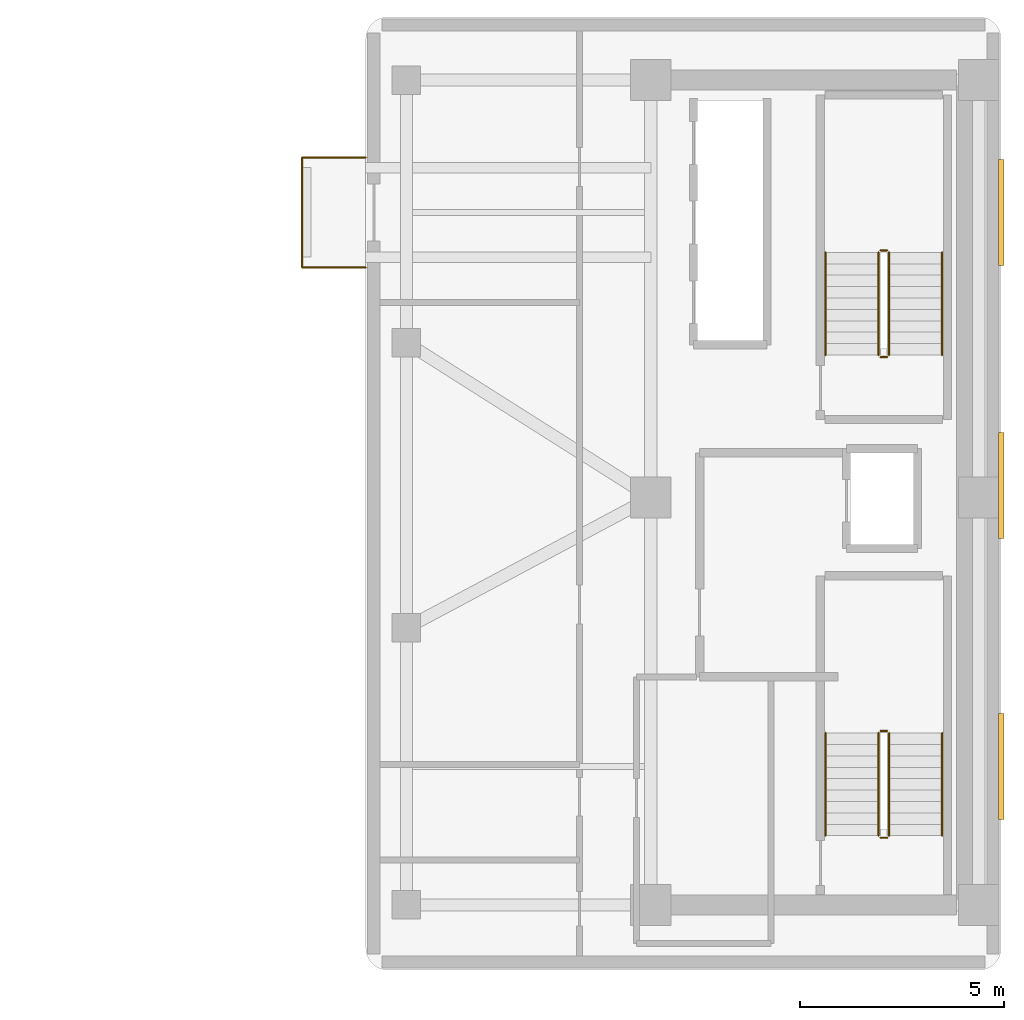
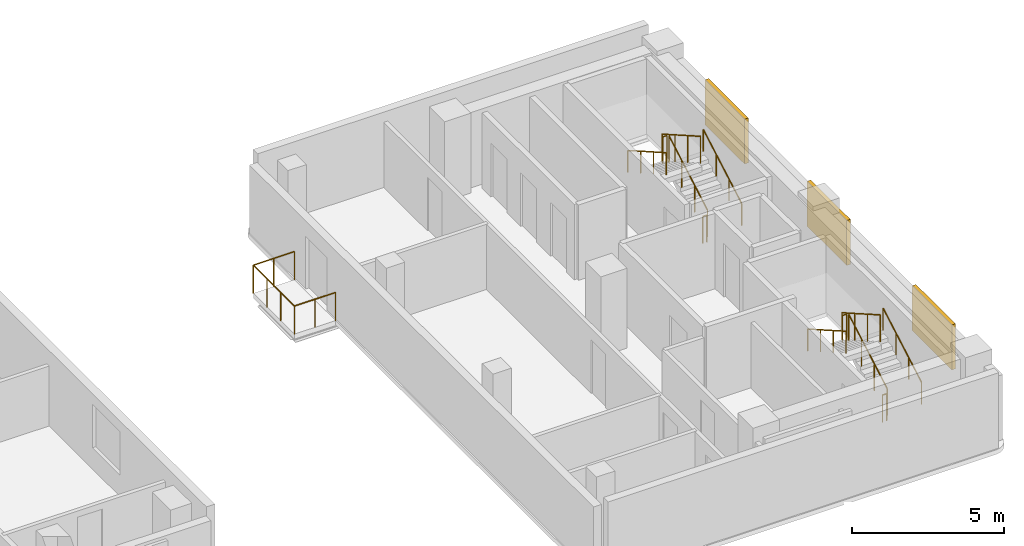
# One storey, part 9 of 9: 15 railings, 3 shading devices.
"""IFC4 building model written with IfcOpenShell, lengths in metres."""

from ifc_helpers import new_model, si_unit, direction, frame, origin, origin_2d, place, context, subcontext, project, spatial, rectangle, circle, extrude, material, layer, layer_set, type_object, element, save


model = new_model("IFC4")

# Units and contexts
model_context = context("Model", 3, precision=1e-05, world=origin(), true_north=direction((0.0, 1.0)))
body_context = subcontext(model_context, "Body", "Model", "MODEL_VIEW")
ifc_project = project(units=[si_unit("LENGTHUNIT", "METRE"), si_unit("AREAUNIT", "SQUARE_METRE"), si_unit("VOLUMEUNIT", "CUBIC_METRE"), si_unit("PLANEANGLEUNIT", "RADIAN"), si_unit("MASSUNIT", "GRAM", prefix="KILO")], contexts=[model_context])

# Site, building, storey
site_placement = place(None, origin())
site = spatial("IfcSite", under=ifc_project, at=site_placement, CompositionType="ELEMENT")
building_placement = place(site_placement, origin())
building = spatial("IfcBuilding", under=site, at=building_placement, Name="Kuzgunbayir Cultural Tower", CompositionType="ELEMENT")
storey_placement = place(building_placement, frame((0.0, 0.0, 89.800048828125)))
storey = spatial("IfcBuildingStorey", under=building, at=storey_placement, Name="L25", CompositionType="ELEMENT", Elevation=89.800048828125)

# Railings
ifc_material_1 = material(Name="Laminated Glass and Stainless Steel", Category="steel")
ifc_layer_1 = layer(ifc_material_1, 0.080078125)
ifc_layer_set_1 = layer_set([ifc_layer_1], Name="Laminated Glass and Stainless Steel")
railing_type_1 = type_object("IfcRailingType", Name="RLG-BAL-115", PredefinedType="BALUSTRADE", material=ifc_layer_set_1)
railing_1_placement = place(storey_placement, frame((57.60009765625, 37.64990234375, 0.0)))
element("IfcRailing", 1, at=railing_1_placement, inside=storey, type_object=railing_type_1, Name="L25 Companion Balcony Guard BAL-L25-T2W3 Segment 1", PredefinedType="BALUSTRADE", context=body_context, shape_type="SweptSolid", body=[
    extrude(circle(Radius=0.02392578125, at=origin_2d()), frame((0.0, 0.0, 1.1259765625), z_axis=(-1.0, 0.0, 0.0), x_axis=(0.0, -1.0, 0.0)), (0.0, 0.0, 1.0), 1.56005859375),
    extrude(circle(Radius=0.02099609375, at=origin_2d()), origin(), (0.0, 0.0, 1.0), 1.101806640625),
    extrude(circle(Radius=0.02099609375, at=origin_2d()), frame((-0.780029296875, 0.0, 0.0)), (0.0, 0.0, 1.0), 1.101806640625),
    extrude(circle(Radius=0.02099609375, at=origin_2d()), frame((-1.56005859375, 0.0, 0.0)), (0.0, 0.0, 1.0), 1.101806640625),
])
railing_2_placement = place(storey_placement, frame((56.0400390625, 37.64990234375, 0.0)))
element("IfcRailing", 2, at=railing_2_placement, inside=storey, type_object=railing_type_1, Name="L25 Companion Balcony Guard BAL-L25-T2W3 Segment 2", PredefinedType="BALUSTRADE", context=body_context, shape_type="SweptSolid", body=[
    extrude(circle(Radius=0.02392578125, at=origin_2d()), frame((0.0, 0.0, 1.1259765625), z_axis=(0.0, 1.0, 0.0), x_axis=(-1.0, 0.0, 0.0)), (0.0, 0.0, 1.0), 2.7001953125),
    extrude(circle(Radius=0.02099609375, at=origin_2d()), origin(), (0.0, 0.0, 1.0), 1.101806640625),
    extrude(circle(Radius=0.02099609375, at=origin_2d()), frame((0.0, 0.900146484375, 0.0)), (0.0, 0.0, 1.0), 1.101806640625),
    extrude(circle(Radius=0.02099609375, at=origin_2d()), frame((0.0, 1.800048828125, 0.0)), (0.0, 0.0, 1.0), 1.101806640625),
    extrude(circle(Radius=0.02099609375, at=origin_2d()), frame((0.0, 2.7001953125, 0.0)), (0.0, 0.0, 1.0), 1.101806640625),
])
railing_3_placement = place(storey_placement, frame((56.0400390625, 40.35009765625, 0.0)))
element("IfcRailing", 3, at=railing_3_placement, inside=storey, type_object=railing_type_1, Name="L25 Companion Balcony Guard BAL-L25-T2W3 Segment 3", PredefinedType="BALUSTRADE", context=body_context, shape_type="SweptSolid", body=[
    extrude(circle(Radius=0.02392578125, at=origin_2d()), frame((0.0, 0.0, 1.1259765625), z_axis=(1.0, 0.0, 0.0), x_axis=(0.0, 1.0, 0.0)), (0.0, 0.0, 1.0), 1.56005859375),
    extrude(circle(Radius=0.02099609375, at=origin_2d()), origin(), (0.0, 0.0, 1.0), 1.101806640625),
    extrude(circle(Radius=0.02099609375, at=origin_2d()), frame((0.780029296875, 0.0, 0.0)), (0.0, 0.0, 1.0), 1.101806640625),
    extrude(circle(Radius=0.02099609375, at=origin_2d()), frame((1.56005859375, 0.0, 0.0)), (0.0, 0.0, 1.0), 1.101806640625),
])
ifc_material_2 = material(Name="Brushed Stainless Steel", Category="steel")
ifc_layer_2 = layer(ifc_material_2, 0.050048828125)
ifc_layer_set_2 = layer_set([ifc_layer_2], Name="Brushed Stainless Steel")
railing_type_2 = type_object("IfcRailingType", Name="RLG-STAIR-HANDRAIL", PredefinedType="HANDRAIL", material=ifc_layer_set_2)
railing_4_placement = place(storey_placement, frame((71.75, 23.699951171875, 0.159912109375)))
element("IfcRailing", 4, at=railing_4_placement, inside=storey, type_object=railing_type_2, Name="L25 ST-3 stair handrail 1", PredefinedType="HANDRAIL", context=body_context, shape_type="SweptSolid", body=[
    extrude(circle(Radius=0.02392578125, at=origin_2d()), frame((0.0, 0.0, 0.8759765625), z_axis=(0.0, 0.868253494771, 0.496120820787), x_axis=(-1.0, 0.0, 0.0)), (0.0, 0.0, 1.0), 2.90234375),
    extrude(circle(Radius=0.02099609375, at=origin_2d()), origin(), (0.0, 0.0, 1.0), 0.851806640625),
    extrude(circle(Radius=0.02099609375, at=origin_2d()), frame((0.0, 0.840087890625, 0.47998046875)), (0.0, 0.0, 1.0), 0.851806640625),
    extrude(circle(Radius=0.02099609375, at=origin_2d()), frame((0.0, 1.679931640625, 0.9599609375)), (0.0, 0.0, 1.0), 0.851806640625),
    extrude(circle(Radius=0.02099609375, at=origin_2d()), frame((0.0, 2.52001953125, 1.43994140625)), (0.0, 0.0, 1.0), 0.851806640625),
])
railing_5_placement = place(storey_placement, frame((68.889892578125, 26.219970703125, 1.760009765625)))
element("IfcRailing", 5, at=railing_5_placement, inside=storey, type_object=railing_type_2, Name="L25 ST-3 stair handrail 2", PredefinedType="HANDRAIL", context=body_context, shape_type="SweptSolid", body=[
    extrude(circle(Radius=0.02392578125, at=origin_2d()), frame((0.0, 0.0, 0.8759765625), z_axis=(0.0, -0.868253494771, 0.496120820787), x_axis=(1.0, 0.0, 0.0)), (0.0, 0.0, 1.0), 2.90234375),
    extrude(circle(Radius=0.02099609375, at=origin_2d()), origin(), (0.0, 0.0, 1.0), 0.851806640625),
    extrude(circle(Radius=0.02099609375, at=origin_2d()), frame((0.0, -0.840087890625, 0.47998046875)), (0.0, 0.0, 1.0), 0.851806640625),
    extrude(circle(Radius=0.02099609375, at=origin_2d()), frame((0.0, -1.679931640625, 0.9599609375)), (0.0, 0.0, 1.0), 0.851806640625),
    extrude(circle(Radius=0.02099609375, at=origin_2d()), frame((0.0, -2.52001953125, 1.43994140625)), (0.0, 0.0, 1.0), 0.851806640625),
])
railing_6_placement = place(storey_placement, frame((71.75, 35.5, 0.159912109375)))
element("IfcRailing", 6, at=railing_6_placement, inside=storey, type_object=railing_type_2, Name="L25 ST-4 stair handrail 1", PredefinedType="HANDRAIL", context=body_context, shape_type="SweptSolid", body=[
    extrude(circle(Radius=0.02392578125, at=origin_2d()), frame((0.0, 0.0, 0.8759765625), z_axis=(0.0, 0.868253494771, 0.496120820787), x_axis=(-1.0, 0.0, 0.0)), (0.0, 0.0, 1.0), 2.90234375),
    extrude(circle(Radius=0.02099609375, at=origin_2d()), origin(), (0.0, 0.0, 1.0), 0.851806640625),
    extrude(circle(Radius=0.02099609375, at=origin_2d()), frame((0.0, 0.840087890625, 0.47998046875)), (0.0, 0.0, 1.0), 0.851806640625),
    extrude(circle(Radius=0.02099609375, at=origin_2d()), frame((0.0, 1.679931640625, 0.9599609375)), (0.0, 0.0, 1.0), 0.851806640625),
    extrude(circle(Radius=0.02099609375, at=origin_2d()), frame((0.0, 2.52001953125, 1.43994140625)), (0.0, 0.0, 1.0), 0.851806640625),
])
railing_7_placement = place(storey_placement, frame((68.889892578125, 38.02001953125, 1.760009765625)))
element("IfcRailing", 7, at=railing_7_placement, inside=storey, type_object=railing_type_2, Name="L25 ST-4 stair handrail 2", PredefinedType="HANDRAIL", context=body_context, shape_type="SweptSolid", body=[
    extrude(circle(Radius=0.02392578125, at=origin_2d()), frame((0.0, 0.0, 0.8759765625), z_axis=(0.0, -0.868253494771, 0.496120820787), x_axis=(1.0, 0.0, 0.0)), (0.0, 0.0, 1.0), 2.90234375),
    extrude(circle(Radius=0.02099609375, at=origin_2d()), origin(), (0.0, 0.0, 1.0), 0.851806640625),
    extrude(circle(Radius=0.02099609375, at=origin_2d()), frame((0.0, -0.840087890625, 0.47998046875)), (0.0, 0.0, 1.0), 0.851806640625),
    extrude(circle(Radius=0.02099609375, at=origin_2d()), frame((0.0, -1.679931640625, 0.9599609375)), (0.0, 0.0, 1.0), 0.851806640625),
    extrude(circle(Radius=0.02099609375, at=origin_2d()), frame((0.0, -2.52001953125, 1.43994140625)), (0.0, 0.0, 1.0), 0.851806640625),
])
ifc_material_3 = material(Name="Painted Steel Balustrade", Category="steel")
ifc_layer_3 = layer(ifc_material_3, 0.06005859375)
ifc_layer_set_3 = layer_set([ifc_layer_3], Name="Painted Steel Balustrade")
railing_type_3 = type_object("IfcRailingType", Name="RLG-WELL-GUARD", PredefinedType="GUARDRAIL", material=ifc_layer_set_3)
railing_8_placement = place(storey_placement, frame((70.449951171875, 23.699951171875, 0.159912109375)))
element("IfcRailing", 8, at=railing_8_placement, inside=storey, type_object=railing_type_3, Name="L25 ST-3 stair guard 1", PredefinedType="GUARDRAIL", context=body_context, shape_type="SweptSolid", body=[
    extrude(circle(Radius=0.02392578125, at=origin_2d()), frame((0.0, 0.0, 1.076171875), z_axis=(0.0, 0.868253494771, 0.496120820787), x_axis=(-1.0, 0.0, 0.0)), (0.0, 0.0, 1.0), 2.90234375),
    extrude(circle(Radius=0.02099609375, at=origin_2d()), origin(), (0.0, 0.0, 1.0), 1.052001953125),
    extrude(circle(Radius=0.02099609375, at=origin_2d()), frame((0.0, 0.840087890625, 0.47998046875)), (0.0, 0.0, 1.0), 1.052001953125),
    extrude(circle(Radius=0.02099609375, at=origin_2d()), frame((0.0, 1.679931640625, 0.9599609375)), (0.0, 0.0, 1.0), 1.052001953125),
    extrude(circle(Radius=0.02099609375, at=origin_2d()), frame((0.0, 2.52001953125, 1.43994140625)), (0.0, 0.0, 1.0), 1.052001953125),
])
railing_9_placement = place(storey_placement, frame((70.39990234375, 26.27001953125, 1.599853515625)))
element("IfcRailing", 9, at=railing_9_placement, inside=storey, type_object=railing_type_3, Name="L25 ST-3 stair guard 2", PredefinedType="GUARDRAIL", context=body_context, shape_type="SweptSolid", body=[
    extrude(circle(Radius=0.02392578125, at=origin_2d()), frame((0.0, 0.0, 1.076171875), z_axis=(-1.0, 0.0, 0.0), x_axis=(0.0, -1.0, 0.0)), (0.0, 0.0, 1.0), 0.159912109375),
    extrude(circle(Radius=0.02099609375, at=origin_2d()), origin(), (0.0, 0.0, 1.0), 1.052001953125),
    extrude(circle(Radius=0.02099609375, at=origin_2d()), frame((-0.159912109375, 0.0, 0.0)), (0.0, 0.0, 1.0), 1.052001953125),
])
railing_10_placement = place(storey_placement, frame((70.18994140625, 26.219970703125, 1.760009765625)))
element("IfcRailing", 10, at=railing_10_placement, inside=storey, type_object=railing_type_3, Name="L25 ST-3 stair guard 3", PredefinedType="GUARDRAIL", context=body_context, shape_type="SweptSolid", body=[
    extrude(circle(Radius=0.02392578125, at=origin_2d()), frame((0.0, 0.0, 1.076171875), z_axis=(0.0, -0.868253494771, 0.496120820787), x_axis=(1.0, 0.0, 0.0)), (0.0, 0.0, 1.0), 2.90234375),
    extrude(circle(Radius=0.02099609375, at=origin_2d()), origin(), (0.0, 0.0, 1.0), 1.052001953125),
    extrude(circle(Radius=0.02099609375, at=origin_2d()), frame((0.0, -0.840087890625, 0.47998046875)), (0.0, 0.0, 1.0), 1.052001953125),
    extrude(circle(Radius=0.02099609375, at=origin_2d()), frame((0.0, -1.679931640625, 0.9599609375)), (0.0, 0.0, 1.0), 1.052001953125),
    extrude(circle(Radius=0.02099609375, at=origin_2d()), frame((0.0, -2.52001953125, 1.43994140625)), (0.0, 0.0, 1.0), 1.052001953125),
])
railing_11_placement = place(storey_placement, frame((70.39990234375, 23.64990234375, 0.0)))
element("IfcRailing", 11, at=railing_11_placement, inside=storey, type_object=railing_type_3, Name="L25 ST-3 stair guard 4", PredefinedType="GUARDRAIL", context=body_context, shape_type="SweptSolid", body=[
    extrude(circle(Radius=0.02392578125, at=origin_2d()), frame((0.0, 0.0, 1.076171875), z_axis=(-1.0, 0.0, 0.0), x_axis=(0.0, -1.0, 0.0)), (0.0, 0.0, 1.0), 0.159912109375),
    extrude(circle(Radius=0.02099609375, at=origin_2d()), origin(), (0.0, 0.0, 1.0), 1.052001953125),
    extrude(circle(Radius=0.02099609375, at=origin_2d()), frame((-0.159912109375, 0.0, 0.0)), (0.0, 0.0, 1.0), 1.052001953125),
])
railing_12_placement = place(storey_placement, frame((70.449951171875, 35.5, 0.159912109375)))
element("IfcRailing", 12, at=railing_12_placement, inside=storey, type_object=railing_type_3, Name="L25 ST-4 stair guard 1", PredefinedType="GUARDRAIL", context=body_context, shape_type="SweptSolid", body=[
    extrude(circle(Radius=0.02392578125, at=origin_2d()), frame((0.0, 0.0, 1.076171875), z_axis=(0.0, 0.868253494771, 0.496120820787), x_axis=(-1.0, 0.0, 0.0)), (0.0, 0.0, 1.0), 2.90234375),
    extrude(circle(Radius=0.02099609375, at=origin_2d()), origin(), (0.0, 0.0, 1.0), 1.052001953125),
    extrude(circle(Radius=0.02099609375, at=origin_2d()), frame((0.0, 0.840087890625, 0.47998046875)), (0.0, 0.0, 1.0), 1.052001953125),
    extrude(circle(Radius=0.02099609375, at=origin_2d()), frame((0.0, 1.679931640625, 0.9599609375)), (0.0, 0.0, 1.0), 1.052001953125),
    extrude(circle(Radius=0.02099609375, at=origin_2d()), frame((0.0, 2.52001953125, 1.43994140625)), (0.0, 0.0, 1.0), 1.052001953125),
])
railing_13_placement = place(storey_placement, frame((70.39990234375, 38.070068359375, 1.599853515625)))
element("IfcRailing", 13, at=railing_13_placement, inside=storey, type_object=railing_type_3, Name="L25 ST-4 stair guard 2", PredefinedType="GUARDRAIL", context=body_context, shape_type="SweptSolid", body=[
    extrude(circle(Radius=0.02392578125, at=origin_2d()), frame((0.0, 0.0, 1.076171875), z_axis=(-1.0, 0.0, 0.0), x_axis=(0.0, -1.0, 0.0)), (0.0, 0.0, 1.0), 0.159912109375),
    extrude(circle(Radius=0.02099609375, at=origin_2d()), origin(), (0.0, 0.0, 1.0), 1.052001953125),
    extrude(circle(Radius=0.02099609375, at=origin_2d()), frame((-0.159912109375, 0.0, 0.0)), (0.0, 0.0, 1.0), 1.052001953125),
])
railing_14_placement = place(storey_placement, frame((70.18994140625, 38.02001953125, 1.760009765625)))
element("IfcRailing", 14, at=railing_14_placement, inside=storey, type_object=railing_type_3, Name="L25 ST-4 stair guard 3", PredefinedType="GUARDRAIL", context=body_context, shape_type="SweptSolid", body=[
    extrude(circle(Radius=0.02392578125, at=origin_2d()), frame((0.0, 0.0, 1.076171875), z_axis=(0.0, -0.868253494771, 0.496120820787), x_axis=(1.0, 0.0, 0.0)), (0.0, 0.0, 1.0), 2.90234375),
    extrude(circle(Radius=0.02099609375, at=origin_2d()), origin(), (0.0, 0.0, 1.0), 1.052001953125),
    extrude(circle(Radius=0.02099609375, at=origin_2d()), frame((0.0, -0.840087890625, 0.47998046875)), (0.0, 0.0, 1.0), 1.052001953125),
    extrude(circle(Radius=0.02099609375, at=origin_2d()), frame((0.0, -1.679931640625, 0.9599609375)), (0.0, 0.0, 1.0), 1.052001953125),
    extrude(circle(Radius=0.02099609375, at=origin_2d()), frame((0.0, -2.52001953125, 1.43994140625)), (0.0, 0.0, 1.0), 1.052001953125),
])
railing_15_placement = place(storey_placement, frame((70.39990234375, 35.449951171875, 0.0)))
element("IfcRailing", 15, at=railing_15_placement, inside=storey, type_object=railing_type_3, Name="L25 ST-4 stair guard 4", PredefinedType="GUARDRAIL", context=body_context, shape_type="SweptSolid", body=[
    extrude(circle(Radius=0.02392578125, at=origin_2d()), frame((0.0, 0.0, 1.076171875), z_axis=(-1.0, 0.0, 0.0), x_axis=(0.0, -1.0, 0.0)), (0.0, 0.0, 1.0), 0.159912109375),
    extrude(circle(Radius=0.02099609375, at=origin_2d()), origin(), (0.0, 0.0, 1.0), 1.052001953125),
    extrude(circle(Radius=0.02099609375, at=origin_2d()), frame((-0.159912109375, 0.0, 0.0)), (0.0, 0.0, 1.0), 1.052001953125),
])

# Shading devices
ifc_material_4 = material(Name="Perforated Bronze-Anodised Aluminium", Category="aluminium")
shading_device_type = type_object("IfcShadingDeviceType", Name="SHD-SOLAR-BRONZE", PredefinedType="JALOUSIE", material=ifc_material_4)
for number, where, z_axis, x_axis, name in (
    (16, (73.199951171875, 25.39990234375, 0.7998046875), (0.0, 0.0, 1.0), (1.0, 0.0, 0.0), "L25 Companion East Bronze Solar Screen 25"),
    (17, (73.199951171875, 32.300048828125, 0.7998046875), (0.0, 0.0, 1.0), (1.0, 0.0, 0.0), "L25 Companion East Bronze Solar Screen 32"),
    (18, (73.199951171875, 39.0, 0.7998046875), (0.0, 0.0, 1.0), (1.0, 0.0, 0.0), "L25 Companion East Bronze Solar Screen 39"),
):
    element("IfcShadingDevice", number, at=place(storey_placement, frame(where, z_axis=z_axis, x_axis=x_axis)), inside=storey, type_object=shading_device_type, Name=name, PredefinedType="JALOUSIE", context=body_context, shape_type="SweptSolid", body=[
        extrude(rectangle(XDim=0.139892578125, YDim=2.60009765625, at=origin_2d()), origin(), (0.0, 0.0, 1.0), 1.800048828125),
    ])

save(model, "model.ifc")
